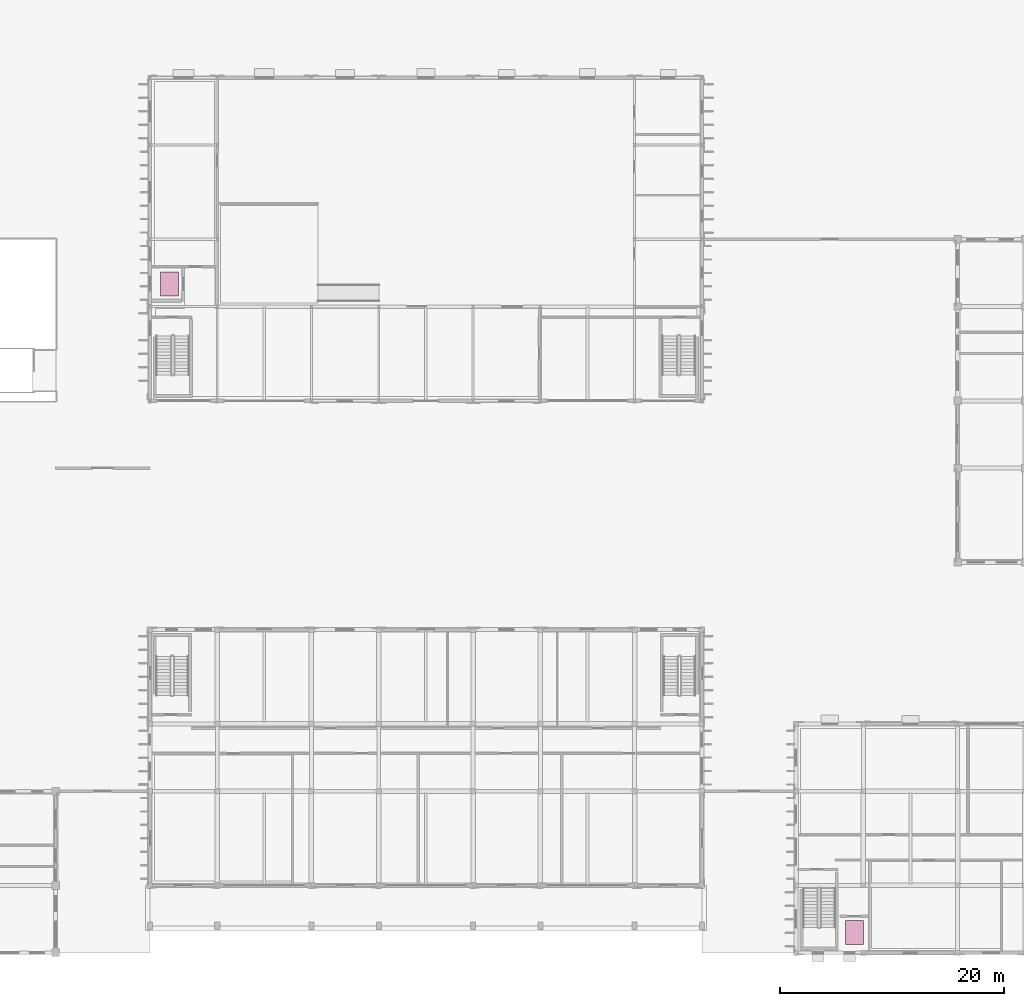
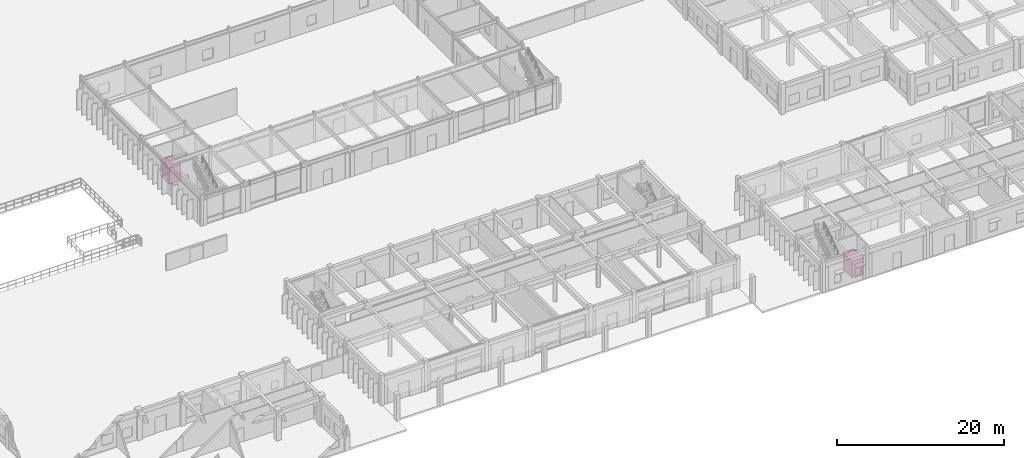
# One storey, part 67 of 67: 2 transport elements.
"""IFC4 building model written with IfcOpenShell, lengths in metres."""

from ifc_helpers import new_model, si_unit, direction, frame, origin, origin_2d, place, context, subcontext, project, spatial, rectangle, extrude, material, type_object, element, save


model = new_model("IFC4")

# Units and contexts
model_context = context("Model", 3, precision=1e-05, world=origin(), true_north=direction((0.0, 1.0)))
body_context = subcontext(model_context, "Body", "Model", "MODEL_VIEW")
ifc_project = project(units=[si_unit("LENGTHUNIT", "METRE"), si_unit("AREAUNIT", "SQUARE_METRE"), si_unit("VOLUMEUNIT", "CUBIC_METRE"), si_unit("PLANEANGLEUNIT", "RADIAN"), si_unit("MASSUNIT", "GRAM", prefix="KILO"), si_unit("THERMODYNAMICTEMPERATUREUNIT", "KELVIN")], contexts=[model_context])

# Site, building, storey
site_placement = place(None, origin())
site = spatial("IfcSite", under=ifc_project, at=site_placement, CompositionType="ELEMENT")
building_placement = place(site_placement, origin())
building = spatial("IfcBuilding", under=site, at=building_placement, Name="Thalorik Housing Commons", CompositionType="ELEMENT")
storey_placement = place(building_placement, origin())
storey = spatial("IfcBuildingStorey", under=building, at=storey_placement, Name="L00", CompositionType="ELEMENT", Elevation=0.0)

# Transport elements
ifc_material = material(Name="Anodised aluminium and brushed steel lift car", Category="steel")
transport_element_type = type_object("IfcTransportElementType", Name="ARC-LIFT-PAX1150", PredefinedType="ELEVATOR", material=ifc_material)
for number, where, z_axis, x_axis, name in (
    (1, (67.75, 68.0, 0.0), (0.0, 0.0, 1.0), (1.0, 0.0, 0.0), "Lift LP-H1"),
    (2, (128.800048828125, 10.199951171875, 0.0), (0.0, 0.0, 1.0), (1.0, 0.0, 0.0), "Lift LP-N1"),
):
    element("IfcTransportElement", number, at=place(storey_placement, frame(where, z_axis=z_axis, x_axis=x_axis)), inside=storey, type_object=transport_element_type, Name=name, PredefinedType="ELEVATOR", context=body_context, shape_type="SweptSolid", body=[
        extrude(rectangle(XDim=1.60009765625, YDim=2.14990234375, at=origin_2d()), origin(), (0.0, 0.0, 1.0), 2.39990234375),
    ])

save(model, "model.ifc")
